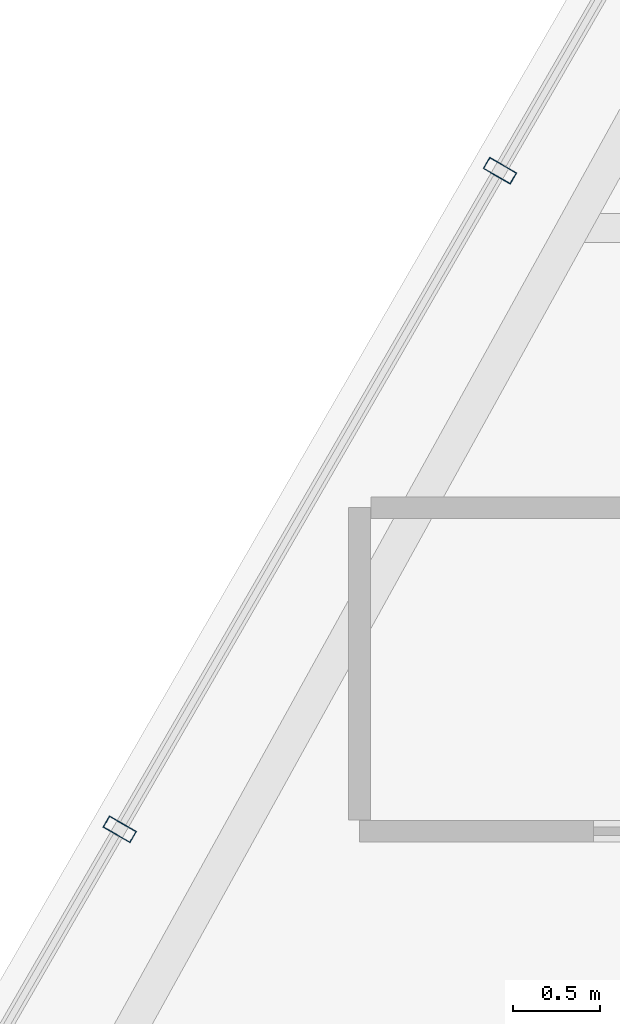
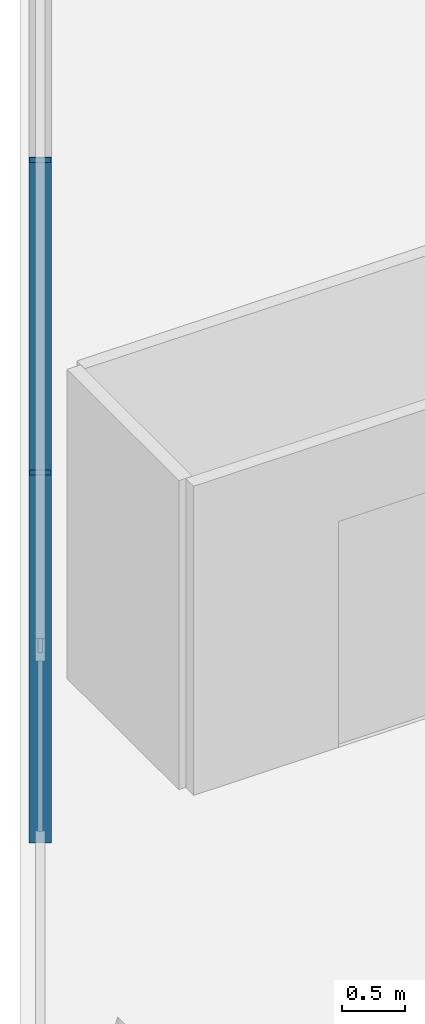
# One storey, part 4 of 29: 2 members, 1 element without a shape of its own.
"""IFC4 building model written with IfcOpenShell, lengths in metres."""

import ifcopenshell
import ifcopenshell.guid

model = None  # the IFC model being written
_history = None  # IfcOwnerHistory: only IFC2X3 demands one
_inside = {}  # id of a spatial element -> (the spatial element, [elements in it])
_under = {}  # id of a project, library or spatial element -> (it, [spatial elements below it])
_declared = {}  # id of a project -> (the project, [libraries it declares])
_typed = {}  # id of a type object -> (the type object, [elements of that type])
_made_of = {}  # id of a material, layer set ... -> (it, [elements and type objects made of it])


def new_model(schema):
    """Start an empty IFC model of exactly this schema.

    Asked for "IFC4X3", IfcOpenShell would pick the latest addendum, in which some entities
    have other attributes; the version numbers below select the first issue.
    IFC2X3 requires an IfcOwnerHistory on every rooted entity: one is made here for all.
    """
    global model, _history
    if schema == "IFC4X3":
        model = ifcopenshell.file(schema_version=(4, 3, 0, 0))
    else:
        model = ifcopenshell.file(schema=schema)
    _inside.clear()
    _under.clear()
    _declared.clear()
    _typed.clear()
    _made_of.clear()
    _history = None
    if model.schema == "IFC2X3":
        org = make("IfcOrganization", Name="unknown")
        user = make(
            "IfcPersonAndOrganization",
            ThePerson=make("IfcPerson", FamilyName="unknown"),
            TheOrganization=org,
        )
        app = make(
            "IfcApplication",
            ApplicationDeveloper=org,
            Version="unknown",
            ApplicationFullName="unknown",
            ApplicationIdentifier="unknown",
        )
        _history = make(
            "IfcOwnerHistory",
            OwningUser=user,
            OwningApplication=app,
            ChangeAction="ADDED",
            CreationDate=0,
        )
    return model


def make(cls, **values):
    """One entity of the class cls with the attributes given. An attribute that is None is left unset."""
    return model.create_entity(
        cls, **{name: value for name, value in values.items() if value is not None}
    )


def rooted(cls, **values):
    """An entity with a GlobalId (a new one), such as an element, a storey or a relation."""
    return make(cls, GlobalId=ifcopenshell.guid.new(), OwnerHistory=_history, **values)


def si_unit(unit_type, name, prefix=None):
    """IfcSIUnit, for example si_unit("LENGTHUNIT", "METRE", prefix="MILLI")."""
    return make("IfcSIUnit", UnitType=unit_type, Prefix=prefix, Name=name)


def assignment(units):
    """IfcUnitAssignment: the units of a project."""
    return None if units is None else make("IfcUnitAssignment", Units=units)


def point(xyz):
    """IfcCartesianPoint."""
    return None if xyz is None else make("IfcCartesianPoint", Coordinates=xyz)


def direction(xyz):
    """IfcDirection."""
    return None if xyz is None else make("IfcDirection", DirectionRatios=xyz)


def frame(location, z_axis=None, x_axis=None):
    """IfcAxis2Placement3D, a coordinate frame: its origin and axes. An axis left out is left unset."""
    return make(
        "IfcAxis2Placement3D",
        Location=point(location),
        Axis=direction(z_axis),
        RefDirection=direction(x_axis),
    )


def frame_2d(location, x_axis=None):
    """IfcAxis2Placement2D, a coordinate frame in the plane: its origin and x axis."""
    return make(
        "IfcAxis2Placement2D", Location=point(location), RefDirection=direction(x_axis)
    )


def origin():
    """The frame at (0, 0, 0) with its axes left unset."""
    return frame((0.0, 0.0, 0.0))


def origin_2d():
    """The frame at (0, 0) in the plane with its x axis left unset."""
    return frame_2d((0.0, 0.0))


def place(relative_to, where):
    """IfcLocalPlacement: puts the frame where relative to a parent placement (None: the world)."""
    return make(
        "IfcLocalPlacement", PlacementRelTo=relative_to, RelativePlacement=where
    )


def context(
    kind, dimensions, precision=None, world=None, true_north=None, identifier=None
):
    """IfcGeometricRepresentationContext, for example the 3D "Model" context."""
    return make(
        "IfcGeometricRepresentationContext",
        ContextIdentifier=identifier,
        ContextType=kind,
        CoordinateSpaceDimension=dimensions,
        Precision=precision,
        WorldCoordinateSystem=world,
        TrueNorth=true_north,
    )


def subcontext(parent, identifier, kind, view, scale=None):
    """IfcGeometricRepresentationSubContext, for example "Body" below "Model"."""
    return make(
        "IfcGeometricRepresentationSubContext",
        ContextIdentifier=identifier,
        ContextType=kind,
        ParentContext=parent,
        TargetScale=scale,
        TargetView=view,
    )


def project(units=None, contexts=None):
    """IfcProject with its units and contexts."""
    return rooted(
        "IfcProject",
        Name="project",
        RepresentationContexts=contexts,
        UnitsInContext=assignment(units),
    )


def spatial(cls, under=None, at=None, **own):
    """A site, building, storey or space (cls), placed at a placement, below another one or the project."""
    s = rooted(cls, ObjectPlacement=at, **own)
    if under is not None:
        _under.setdefault(under.id(), (under, []))[1].append(s)
    return s


def profile(cls, at=None, kind="AREA", **sizes):
    """A parametric profile (cls). Its sizes go by their IFC names, for example OverallWidth=200.0."""
    return make(cls, ProfileType=kind, Position=at, **sizes)


def hollow_rectangle(**sizes):
    """IfcRectangleHollowProfileDef."""
    return profile("IfcRectangleHollowProfileDef", **sizes)


def extrude(swept, where, along, depth):
    """IfcExtrudedAreaSolid: the profile swept, set in the frame where, extruded along a direction by depth."""
    return make(
        "IfcExtrudedAreaSolid",
        SweptArea=swept,
        Position=where,
        ExtrudedDirection=direction(along),
        Depth=depth,
    )


def shape(context_of_items, identifier, shape_type, items):
    """IfcShapeRepresentation: the items that make up one representation, for example the "Body"."""
    return make(
        "IfcShapeRepresentation",
        ContextOfItems=context_of_items,
        RepresentationIdentifier=identifier,
        RepresentationType=shape_type,
        Items=items,
    )


def material(Name=None, Category=None):
    """IfcMaterial."""
    return make("IfcMaterial", Name=Name, Category=Category)


def layer(
    of_material, thickness, ventilated=None, Name=None, Category=None, Priority=None
):
    """IfcMaterialLayer: one layer of a wall or slab, of a material (None: an air gap)."""
    return make(
        "IfcMaterialLayer",
        Material=of_material,
        LayerThickness=thickness,
        IsVentilated=ventilated,
        Name=Name,
        Category=Category,
        Priority=Priority,
    )


def layer_set(layers, Name=None):
    """IfcMaterialLayerSet."""
    return make("IfcMaterialLayerSet", MaterialLayers=layers, LayerSetName=Name)


def material_profile(
    of_material, cross_section, Name=None, Category=None, Priority=None
):
    """IfcMaterialProfile: a cross section and its material."""
    return make(
        "IfcMaterialProfile",
        Name=Name,
        Material=of_material,
        Profile=cross_section,
        Priority=Priority,
        Category=Category,
    )


def profile_set(profiles, Name=None, composite=None):
    """IfcMaterialProfileSet."""
    return make(
        "IfcMaterialProfileSet",
        Name=Name,
        MaterialProfiles=profiles,
        CompositeProfile=composite,
    )


def made_of(thing, what):
    """Note that an element or type object is made of a material, layer set ...; save() writes the relation."""
    if what is not None:
        _made_of.setdefault(what.id(), (what, []))[1].append(thing)
    return thing


def type_object(cls, material=None, **own):
    """A type object (cls), such as IfcWallType, which elements share."""
    return made_of(rooted(cls, **own), material)


def element(
    cls,
    number,
    at=None,
    inside=None,
    cuts=None,
    type_object=None,
    material=None,
    context=None,
    identifier="Body",
    shape_type=None,
    held_by="IfcProductDefinitionShape",
    body=None,
    shapes=None,
    **own,
):
    """One element of the class cls, such as IfcWall. Its Tag is "e" and its number.

    at: its placement. inside: the storey or other place that contains it. cuts: it is an
    opening in that element (IfcRelVoidsElement). A single representation is given by context,
    identifier, shape_type and body (its items); several are given by shapes. held_by: the class
    of the entity that holds the representations. save() writes the other relations.
    """
    e = rooted(cls, Tag="e%d" % number, ObjectPlacement=at, **own)
    if body is not None:
        shapes = [shape(context, identifier, shape_type, body)]
    if shapes is not None:
        e.Representation = make(held_by, Representations=shapes)
    if inside is not None:
        _inside.setdefault(inside.id(), (inside, []))[1].append(e)
    if cuts is not None:
        rooted(
            "IfcRelVoidsElement", RelatingBuildingElement=cuts, RelatedOpeningElement=e
        )
    if type_object is not None:
        _typed.setdefault(type_object.id(), (type_object, []))[1].append(e)
    return made_of(e, material)


def aggregate(whole, parts):
    """IfcRelAggregates: a whole, such as a stair, and the parts it consists of."""
    return rooted("IfcRelAggregates", RelatingObject=whole, RelatedObjects=parts)


def save(model, path):
    """Write the relations noted so far, then the file.

    IfcRelAggregates (storeys below a building ...), IfcRelContainedInSpatialStructure (elements
    in a storey), IfcRelDefinesByType, IfcRelAssociatesMaterial and IfcRelDeclares: one each for
    every whole, place, type object, material and project.
    """
    for whole, parts in _under.values():
        aggregate(whole, parts)
    for where, things in _inside.values():
        rooted(
            "IfcRelContainedInSpatialStructure",
            RelatedElements=things,
            RelatingStructure=where,
        )
    for kind, things in _typed.values():
        rooted("IfcRelDefinesByType", RelatedObjects=things, RelatingType=kind)
    for what, things in _made_of.values():
        rooted("IfcRelAssociatesMaterial", RelatedObjects=things, RelatingMaterial=what)
    for by, libraries in _declared.values():
        rooted("IfcRelDeclares", RelatingContext=by, RelatedDefinitions=libraries)
    model.write(path)


model = new_model("IFC4")

# Units and contexts
model_context = context("Model", 3, precision=1e-05, world=origin(), true_north=direction((0.0, 1.0)))
body_context = subcontext(model_context, "Body", "Model", "MODEL_VIEW")
ifc_project = project(units=[si_unit("LENGTHUNIT", "METRE"), si_unit("AREAUNIT", "SQUARE_METRE"), si_unit("VOLUMEUNIT", "CUBIC_METRE"), si_unit("PLANEANGLEUNIT", "RADIAN"), si_unit("MASSUNIT", "GRAM", prefix="KILO")], contexts=[model_context])

# Site, building, storey
site_placement = place(None, origin())
site = spatial("IfcSite", under=ifc_project, at=site_placement, CompositionType="ELEMENT")
building_placement = place(site_placement, origin())
building = spatial("IfcBuilding", under=site, at=building_placement, Name="Ndaravel Arena Tower", CompositionType="ELEMENT")
storey_placement = place(building_placement, frame((0.0, 0.0, 233.199951171875)))
storey = spatial("IfcBuildingStorey", under=building, at=storey_placement, Name="L56", CompositionType="ELEMENT", Elevation=233.199951171875)

# Curtain wall, members
ifc_material_1 = material(Name="Aluminium", Category="aluminium")
ifc_layer = layer(ifc_material_1, 0.179931640625)
ifc_layer_set = layer_set([ifc_layer], Name="Aluminium")
curtain_wall_type = type_object("IfcCurtainWallType", Name="CW-SYS-03", PredefinedType="NOTDEFINED", material=ifc_layer_set)
curtain_wall_placement = place(storey_placement, origin())
curtain_wall = element("IfcCurtainWall", 1, at=curtain_wall_placement, inside=storey, type_object=curtain_wall_type, Name="L56 Faceted Crystal Curtain Wall CW-L56-E05", PredefinedType="NOTDEFINED")
ifc_material_2 = material(Name="Aluminium", Category="aluminium")
ifc_material_profile = material_profile(ifc_material_2, hollow_rectangle(XDim=0.074951171875, YDim=0.179931640625, WallThickness=0.00390625, at=origin_2d()), Name="CW MULLION 75x180x4")
ifc_profile_set = profile_set([ifc_material_profile], Name="Aluminium")
member_type = type_object("IfcMemberType", Name="MEM-CW-MUL180", PredefinedType="MULLION", material=ifc_profile_set)
member_1_placement = place(storey_placement, frame((23.180419921875, 18.927001953125, 0.0), z_axis=(0.0, 0.0, 1.0), x_axis=(-0.5, -0.866025403784, 0.0)))
member_1 = element("IfcMember", 2, at=member_1_placement, type_object=member_type, Name="CW-L56-E05 Mullion 07", PredefinedType="MULLION", context=body_context, shape_type="SweptSolid", body=[
    extrude(hollow_rectangle(XDim=0.074951171875, YDim=0.179931640625, WallThickness=0.00390625, at=origin_2d()), origin(), (0.0, 0.0, 1.0), 3.580078125),
])
member_2_placement = place(storey_placement, frame((21.006103515625, 15.160888671875, 0.0), z_axis=(0.0, 0.0, 1.0), x_axis=(-0.5, -0.866025403784, 0.0)))
member_2 = element("IfcMember", 3, at=member_2_placement, type_object=member_type, Name="CW-L56-E05 Mullion 08", PredefinedType="MULLION", context=body_context, shape_type="SweptSolid", body=[
    extrude(hollow_rectangle(XDim=0.074951171875, YDim=0.179931640625, WallThickness=0.00390625, at=origin_2d()), origin(), (0.0, 0.0, 1.0), 3.580078125),
])
aggregate(curtain_wall, [member_1, member_2])

save(model, "model.ifc")
